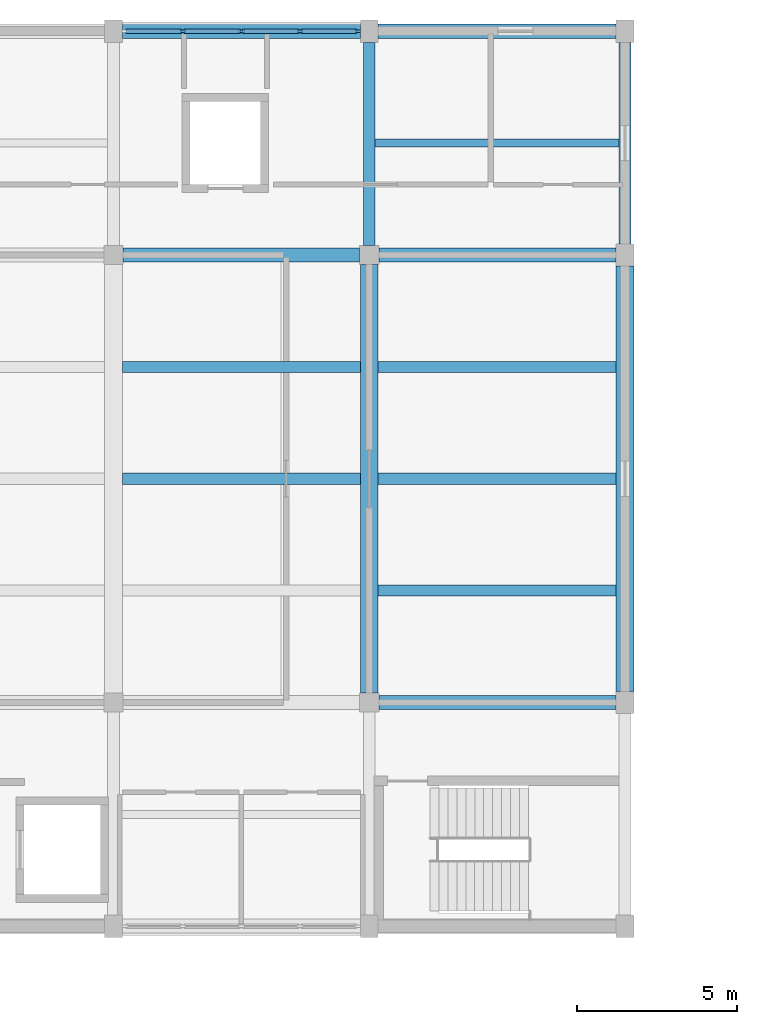
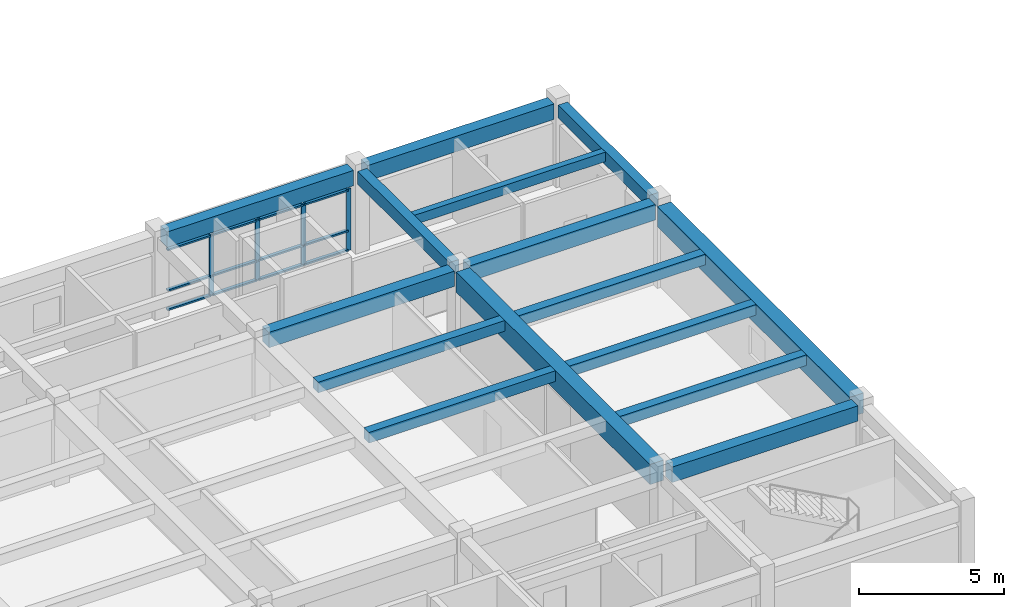
# One storey, part 4 of 10: 16 members, 15 beams, 1 element without a shape of its own.
"""IFC4 building model written with IfcOpenShell, lengths in metres."""

from ifc_helpers import new_model, si_unit, direction, frame, origin, origin_2d, place, context, subcontext, project, spatial, rectangle, extrude, material, layer, layer_set, material_profile, profile_set, type_object, element, aggregate, save


model = new_model("IFC4")

# Units and contexts
model_context = context("Model", 3, precision=1e-05, world=origin(), true_north=direction((0.0, 1.0)))
body_context = subcontext(model_context, "Body", "Model", "MODEL_VIEW")
ifc_project = project(units=[si_unit("LENGTHUNIT", "METRE"), si_unit("AREAUNIT", "SQUARE_METRE"), si_unit("VOLUMEUNIT", "CUBIC_METRE"), si_unit("PLANEANGLEUNIT", "RADIAN"), si_unit("MASSUNIT", "GRAM", prefix="KILO")], contexts=[model_context])

# Site, building, storey
site_placement = place(None, origin())
site = spatial("IfcSite", under=ifc_project, at=site_placement, CompositionType="ELEMENT")
building_placement = place(site_placement, origin())
building = spatial("IfcBuilding", under=site, at=building_placement, Name="Naurynzar Civic Courthouse", CompositionType="ELEMENT")
storey_placement = place(building_placement, frame((0.0, 0.0, 33.300048828125)))
storey = spatial("IfcBuildingStorey", under=building, at=storey_placement, Name="L09", CompositionType="ELEMENT", Elevation=33.300048828125)

# Beams
ifc_material_1 = material(Name="Concrete C40/50", Category="concrete")
ifc_material_profile_1 = material_profile(ifc_material_1, rectangle(XDim=0.25, YDim=0.39990234375, at=origin_2d()), Name="RCB 250x400")
ifc_profile_set_1 = profile_set([ifc_material_profile_1], Name="Concrete C40/50")
beam_type_1 = type_object("IfcBeamType", Name="BM-JST-250x400", PredefinedType="JOIST", material=ifc_profile_set_1)
beam_1_placement = place(storey_placement, frame((101.1875, 68.5, 3.27001953125), z_axis=(1.0, 0.0, 0.0), x_axis=(0.0, 1.0, 0.0)))
element("IfcBeam", 1, at=beam_1_placement, inside=storey, type_object=beam_type_1, Name="V2 secondary rib 1127 L09", PredefinedType="JOIST", context=body_context, shape_type="SweptSolid", body=[
    extrude(rectangle(XDim=0.25, YDim=0.39990234375, at=origin_2d()), origin(), (0.0, 0.0, 1.0), 7.625),
])
ifc_material_2 = material(Name="Concrete C40/50", Category="concrete")
ifc_material_profile_2 = material_profile(ifc_material_2, rectangle(XDim=0.550048828125, YDim=0.85009765625, at=origin_2d()), Name="PTB 550x850")
ifc_profile_set_2 = profile_set([ifc_material_profile_2], Name="Concrete C40/50")
beam_type_2 = type_object("IfcBeamType", Name="BM-PT-550x850", PredefinedType="T_BEAM", material=ifc_profile_set_2)
beam_2_placement = place(storey_placement, frame((101.0, 51.300048828125, 3.044921875), z_axis=(0.0, 1.0, 0.0), x_axis=(-1.0, 0.0, 0.0)))
element("IfcBeam", 2, at=beam_2_placement, inside=storey, type_object=beam_type_2, Name="V2 girder Y-1103 L09", PredefinedType="T_BEAM", context=body_context, shape_type="SweptSolid", body=[
    extrude(rectangle(XDim=0.550048828125, YDim=0.85009765625, at=origin_2d()), origin(), (0.0, 0.0, 1.0), 13.39990234375),
])
beam_3_placement = place(storey_placement, frame((109.0, 51.35009765625, 3.044921875), z_axis=(0.0, 1.0, 0.0), x_axis=(-1.0, 0.0, 0.0)))
element("IfcBeam", 3, at=beam_3_placement, inside=storey, type_object=beam_type_2, Name="V2 girder Y-1106 L09", PredefinedType="T_BEAM", context=body_context, shape_type="SweptSolid", body=[
    extrude(rectangle(XDim=0.550048828125, YDim=0.85009765625, at=origin_2d()), origin(), (0.0, 0.0, 1.0), 13.2998046875),
])
ifc_material_3 = material(Name="Concrete C40/50", Category="concrete")
ifc_material_profile_3 = material_profile(ifc_material_3, rectangle(XDim=0.35009765625, YDim=0.449951171875, at=origin_2d()), Name="RCB 350x450")
ifc_profile_set_3 = profile_set([ifc_material_profile_3], Name="Concrete C40/50")
beam_type_3 = type_object("IfcBeamType", Name="BM-RC-350x450", PredefinedType="BEAM", material=ifc_profile_set_3)
for number, where, z_axis, x_axis, name in (
    (4, (93.27490234375, 58.0, 3.244873046875), (1.0, 0.0, 0.0), (0.0, 1.0, 0.0), "V2 secondary rib 1119 L09"),
    (5, (93.27490234375, 61.5, 3.244873046875), (1.0, 0.0, 0.0), (0.0, 1.0, 0.0), "V2 secondary rib 1120 L09"),
    (6, (101.27490234375, 54.5, 3.244873046875), (1.0, 0.0, 0.0), (0.0, 1.0, 0.0), "V2 secondary rib 1121 L09"),
    (7, (101.27490234375, 58.0, 3.244873046875), (1.0, 0.0, 0.0), (0.0, 1.0, 0.0), "V2 secondary rib 1122 L09"),
    (8, (101.27490234375, 61.5, 3.244873046875), (1.0, 0.0, 0.0), (0.0, 1.0, 0.0), "V2 secondary rib 1123 L09"),
):
    element("IfcBeam", number, at=place(storey_placement, frame(where, z_axis=z_axis, x_axis=x_axis)), inside=storey, type_object=beam_type_3, Name=name, PredefinedType="BEAM", context=body_context, shape_type="SweptSolid", body=[
        extrude(rectangle(XDim=0.35009765625, YDim=0.449951171875, at=origin_2d()), origin(), (0.0, 0.0, 1.0), 7.4501953125),
    ])
ifc_material_4 = material(Name="Concrete C40/50", Category="concrete")
ifc_material_profile_4 = material_profile(ifc_material_4, rectangle(XDim=0.375, YDim=0.550048828125, at=origin_2d()), Name="RCB 375x550")
ifc_profile_set_4 = profile_set([ifc_material_profile_4], Name="Concrete C40/50")
beam_type_4 = type_object("IfcBeamType", Name="BM-RC-375x550", PredefinedType="BEAM", material=ifc_profile_set_4)
beam_4_placement = place(storey_placement, frame((101.0, 65.300048828125, 3.195068359375), z_axis=(0.0, 1.0, 0.0), x_axis=(-1.0, 0.0, 0.0)))
element("IfcBeam", 9, at=beam_4_placement, inside=storey, type_object=beam_type_4, Name="V2 girder Y-1104 L09", PredefinedType="BEAM", context=body_context, shape_type="SweptSolid", body=[
    extrude(rectangle(XDim=0.375, YDim=0.550048828125, at=origin_2d()), origin(), (0.0, 0.0, 1.0), 6.349853515625),
])
beam_5_placement = place(storey_placement, frame((109.0, 65.35009765625, 3.195068359375), z_axis=(0.0, 1.0, 0.0), x_axis=(-1.0, 0.0, 0.0)))
element("IfcBeam", 10, at=beam_5_placement, inside=storey, type_object=beam_type_4, Name="V2 girder Y-1107 L09", PredefinedType="BEAM", context=body_context, shape_type="SweptSolid", body=[
    extrude(rectangle(XDim=0.375, YDim=0.550048828125, at=origin_2d()), origin(), (0.0, 0.0, 1.0), 6.2998046875),
])
ifc_material_5 = material(Name="Concrete C40/50", Category="concrete")
ifc_material_profile_5 = material_profile(ifc_material_5, rectangle(XDim=0.449951171875, YDim=0.64990234375, at=origin_2d()), Name="RCB 450x650")
ifc_profile_set_5 = profile_set([ifc_material_profile_5], Name="Concrete C40/50")
beam_type_5 = type_object("IfcBeamType", Name="BM-RC-450x650", PredefinedType="BEAM", material=ifc_profile_set_5)
beam_6_placement = place(storey_placement, frame((101.300048828125, 51.0, 3.14501953125), z_axis=(1.0, 0.0, 0.0), x_axis=(0.0, 1.0, 0.0)))
element("IfcBeam", 11, at=beam_6_placement, inside=storey, type_object=beam_type_5, Name="V2 beam X-1079 L09", PredefinedType="BEAM", context=body_context, shape_type="SweptSolid", body=[
    extrude(rectangle(XDim=0.449951171875, YDim=0.64990234375, at=origin_2d()), origin(), (0.0, 0.0, 1.0), 7.425048828125),
])
beam_7_placement = place(storey_placement, frame((93.300048828125, 65.0, 3.14501953125), z_axis=(1.0, 0.0, 0.0), x_axis=(0.0, 1.0, 0.0)))
element("IfcBeam", 12, at=beam_7_placement, inside=storey, type_object=beam_type_5, Name="V2 beam X-1083 L09", PredefinedType="BEAM", context=body_context, shape_type="SweptSolid", body=[
    extrude(rectangle(XDim=0.449951171875, YDim=0.64990234375, at=origin_2d()), origin(), (0.0, 0.0, 1.0), 7.39990234375),
])
beam_8_placement = place(storey_placement, frame((101.300048828125, 65.0, 3.14501953125), z_axis=(1.0, 0.0, 0.0), x_axis=(0.0, 1.0, 0.0)))
element("IfcBeam", 13, at=beam_8_placement, inside=storey, type_object=beam_type_5, Name="V2 beam X-1084 L09", PredefinedType="BEAM", context=body_context, shape_type="SweptSolid", body=[
    extrude(rectangle(XDim=0.449951171875, YDim=0.64990234375, at=origin_2d()), origin(), (0.0, 0.0, 1.0), 7.425048828125),
])
for number, where, z_axis, x_axis, name in (
    (14, (93.27490234375, 72.0, 3.14501953125), (1.0, 0.0, 0.0), (0.0, 1.0, 0.0), "V2 beam X-1088 L09"),
    (15, (101.27490234375, 72.0, 3.14501953125), (1.0, 0.0, 0.0), (0.0, 1.0, 0.0), "V2 beam X-1089 L09"),
):
    element("IfcBeam", number, at=place(storey_placement, frame(where, z_axis=z_axis, x_axis=x_axis)), inside=storey, type_object=beam_type_5, Name=name, PredefinedType="BEAM", context=body_context, shape_type="SweptSolid", body=[
        extrude(rectangle(XDim=0.449951171875, YDim=0.64990234375, at=origin_2d()), origin(), (0.0, 0.0, 1.0), 7.4501953125),
    ])

# Curtain wall, members
ifc_material_6 = material(Name="Aluminium 6063-T6", Category="aluminium")
ifc_layer = layer(ifc_material_6, 0.159912109375)
ifc_layer_set = layer_set([ifc_layer], Name="CW-UNIT-1800")
curtain_wall_type = type_object("IfcCurtainWallType", Name="CW-UNIT-1800", PredefinedType="NOTDEFINED", material=ifc_layer_set)
curtain_wall_placement = place(storey_placement, origin())
curtain_wall = element("IfcCurtainWall", 16, at=curtain_wall_placement, inside=storey, type_object=curtain_wall_type, Name="V2 unitised curtain wall 58 L09", PredefinedType="NOTDEFINED")
ifc_material_7 = material(Name="Aluminium 6063-T6", Category="aluminium")
ifc_material_profile_6 = material_profile(ifc_material_7, rectangle(XDim=0.070068359375, YDim=0.179931640625, at=origin_2d()), Name="ALU MULLION 70x180")
ifc_profile_set_6 = profile_set([ifc_material_profile_6], Name="Aluminium 6063-T6")
member_type_1 = type_object("IfcMemberType", Name="CWM-70x180", PredefinedType="MULLION", material=ifc_profile_set_6)
member_1_placement = place(storey_placement, frame((95.16259765625, 72.0, 0.0), z_axis=(0.0, 0.0, 1.0), x_axis=(0.0, 1.0, 0.0)))
member_1 = element("IfcMember", 17, at=member_1_placement, type_object=member_type_1, Name="CW-02 mullion 2", PredefinedType="MULLION", context=body_context, shape_type="SweptSolid", body=[
    extrude(rectangle(XDim=0.070068359375, YDim=0.179931640625, at=origin_2d()), origin(), (0.0, 0.0, 1.0), 2.599853515625),
])
member_2_placement = place(storey_placement, frame((97.0, 72.0, 0.0), z_axis=(0.0, 0.0, 1.0), x_axis=(0.0, 1.0, 0.0)))
member_2 = element("IfcMember", 18, at=member_2_placement, type_object=member_type_1, Name="CW-02 mullion 3", PredefinedType="MULLION", context=body_context, shape_type="SweptSolid", body=[
    extrude(rectangle(XDim=0.070068359375, YDim=0.179931640625, at=origin_2d()), origin(), (0.0, 0.0, 1.0), 2.599853515625),
])
member_3_placement = place(storey_placement, frame((98.83740234375, 72.0, 0.0), z_axis=(0.0, 0.0, 1.0), x_axis=(0.0, 1.0, 0.0)))
member_3 = element("IfcMember", 19, at=member_3_placement, type_object=member_type_1, Name="CW-02 mullion 4", PredefinedType="MULLION", context=body_context, shape_type="SweptSolid", body=[
    extrude(rectangle(XDim=0.070068359375, YDim=0.179931640625, at=origin_2d()), origin(), (0.0, 0.0, 1.0), 2.599853515625),
])
member_4_placement = place(storey_placement, frame((100.639892578125, 72.0, 0.0), z_axis=(0.0, 0.0, 1.0), x_axis=(0.0, 1.0, 0.0)))
member_4 = element("IfcMember", 20, at=member_4_placement, type_object=member_type_1, Name="CW-02 mullion 5", PredefinedType="MULLION", context=body_context, shape_type="SweptSolid", body=[
    extrude(rectangle(XDim=0.070068359375, YDim=0.179931640625, at=origin_2d()), origin(), (0.0, 0.0, 1.0), 2.599853515625),
])
ifc_material_8 = material(Name="Aluminium 6063-T6", Category="aluminium")
ifc_material_profile_7 = material_profile(ifc_material_8, rectangle(XDim=0.1298828125, YDim=0.070068359375, at=origin_2d()), Name="ALU TRANSOM 70x130")
ifc_profile_set_7 = profile_set([ifc_material_profile_7], Name="Aluminium 6063-T6")
member_type_2 = type_object("IfcMemberType", Name="CWT-70x130", PredefinedType="USERDEFINED", material=ifc_profile_set_7)
member_5_placement = place(storey_placement, frame((93.39501953125, 72.0, 0.034912109375), z_axis=(1.0, 0.0, 0.0), x_axis=(0.0, 1.0, 0.0)))
member_5 = element("IfcMember", 21, at=member_5_placement, type_object=member_type_2, Name="CW-02 transom 1.1", ObjectType="TRANSOM", PredefinedType="USERDEFINED", context=body_context, shape_type="SweptSolid", body=[
    extrude(rectangle(XDim=0.1298828125, YDim=0.070068359375, at=origin_2d()), origin(), (0.0, 0.0, 1.0), 1.732421875),
])
member_6_placement = place(storey_placement, frame((93.39501953125, 72.0, 0.849853515625), z_axis=(1.0, 0.0, 0.0), x_axis=(0.0, 1.0, 0.0)))
member_6 = element("IfcMember", 22, at=member_6_placement, type_object=member_type_2, Name="CW-02 transom 1.2", ObjectType="TRANSOM", PredefinedType="USERDEFINED", context=body_context, shape_type="SweptSolid", body=[
    extrude(rectangle(XDim=0.1298828125, YDim=0.070068359375, at=origin_2d()), origin(), (0.0, 0.0, 1.0), 1.732421875),
])
member_7_placement = place(storey_placement, frame((93.39501953125, 72.0, 2.56494140625), z_axis=(1.0, 0.0, 0.0), x_axis=(0.0, 1.0, 0.0)))
member_7 = element("IfcMember", 23, at=member_7_placement, type_object=member_type_2, Name="CW-02 transom 1.3", ObjectType="TRANSOM", PredefinedType="USERDEFINED", context=body_context, shape_type="SweptSolid", body=[
    extrude(rectangle(XDim=0.1298828125, YDim=0.070068359375, at=origin_2d()), origin(), (0.0, 0.0, 1.0), 1.732421875),
])
member_8_placement = place(storey_placement, frame((95.197509765625, 72.0, 0.034912109375), z_axis=(1.0, 0.0, 0.0), x_axis=(0.0, 1.0, 0.0)))
member_8 = element("IfcMember", 24, at=member_8_placement, type_object=member_type_2, Name="CW-02 transom 2.1", ObjectType="TRANSOM", PredefinedType="USERDEFINED", context=body_context, shape_type="SweptSolid", body=[
    extrude(rectangle(XDim=0.1298828125, YDim=0.070068359375, at=origin_2d()), origin(), (0.0, 0.0, 1.0), 1.767578125),
])
member_9_placement = place(storey_placement, frame((95.197509765625, 72.0, 0.849853515625), z_axis=(1.0, 0.0, 0.0), x_axis=(0.0, 1.0, 0.0)))
member_9 = element("IfcMember", 25, at=member_9_placement, type_object=member_type_2, Name="CW-02 transom 2.2", ObjectType="TRANSOM", PredefinedType="USERDEFINED", context=body_context, shape_type="SweptSolid", body=[
    extrude(rectangle(XDim=0.1298828125, YDim=0.070068359375, at=origin_2d()), origin(), (0.0, 0.0, 1.0), 1.767578125),
])
member_10_placement = place(storey_placement, frame((95.197509765625, 72.0, 2.56494140625), z_axis=(1.0, 0.0, 0.0), x_axis=(0.0, 1.0, 0.0)))
member_10 = element("IfcMember", 26, at=member_10_placement, type_object=member_type_2, Name="CW-02 transom 2.3", ObjectType="TRANSOM", PredefinedType="USERDEFINED", context=body_context, shape_type="SweptSolid", body=[
    extrude(rectangle(XDim=0.1298828125, YDim=0.070068359375, at=origin_2d()), origin(), (0.0, 0.0, 1.0), 1.767578125),
])
member_11_placement = place(storey_placement, frame((97.034912109375, 72.0, 0.034912109375), z_axis=(1.0, 0.0, 0.0), x_axis=(0.0, 1.0, 0.0)))
member_11 = element("IfcMember", 27, at=member_11_placement, type_object=member_type_2, Name="CW-02 transom 3.1", ObjectType="TRANSOM", PredefinedType="USERDEFINED", context=body_context, shape_type="SweptSolid", body=[
    extrude(rectangle(XDim=0.1298828125, YDim=0.070068359375, at=origin_2d()), origin(), (0.0, 0.0, 1.0), 1.767578125),
])
member_12_placement = place(storey_placement, frame((97.034912109375, 72.0, 0.849853515625), z_axis=(1.0, 0.0, 0.0), x_axis=(0.0, 1.0, 0.0)))
member_12 = element("IfcMember", 28, at=member_12_placement, type_object=member_type_2, Name="CW-02 transom 3.2", ObjectType="TRANSOM", PredefinedType="USERDEFINED", context=body_context, shape_type="SweptSolid", body=[
    extrude(rectangle(XDim=0.1298828125, YDim=0.070068359375, at=origin_2d()), origin(), (0.0, 0.0, 1.0), 1.767578125),
])
member_13_placement = place(storey_placement, frame((97.034912109375, 72.0, 2.56494140625), z_axis=(1.0, 0.0, 0.0), x_axis=(0.0, 1.0, 0.0)))
member_13 = element("IfcMember", 29, at=member_13_placement, type_object=member_type_2, Name="CW-02 transom 3.3", ObjectType="TRANSOM", PredefinedType="USERDEFINED", context=body_context, shape_type="SweptSolid", body=[
    extrude(rectangle(XDim=0.1298828125, YDim=0.070068359375, at=origin_2d()), origin(), (0.0, 0.0, 1.0), 1.767578125),
])
member_14_placement = place(storey_placement, frame((98.87255859375, 72.0, 0.034912109375), z_axis=(1.0, 0.0, 0.0), x_axis=(0.0, 1.0, 0.0)))
member_14 = element("IfcMember", 30, at=member_14_placement, type_object=member_type_2, Name="CW-02 transom 4.1", ObjectType="TRANSOM", PredefinedType="USERDEFINED", context=body_context, shape_type="SweptSolid", body=[
    extrude(rectangle(XDim=0.1298828125, YDim=0.070068359375, at=origin_2d()), origin(), (0.0, 0.0, 1.0), 1.732421875),
])
member_15_placement = place(storey_placement, frame((98.87255859375, 72.0, 0.849853515625), z_axis=(1.0, 0.0, 0.0), x_axis=(0.0, 1.0, 0.0)))
member_15 = element("IfcMember", 31, at=member_15_placement, type_object=member_type_2, Name="CW-02 transom 4.2", ObjectType="TRANSOM", PredefinedType="USERDEFINED", context=body_context, shape_type="SweptSolid", body=[
    extrude(rectangle(XDim=0.1298828125, YDim=0.070068359375, at=origin_2d()), origin(), (0.0, 0.0, 1.0), 1.732421875),
])
member_16_placement = place(storey_placement, frame((98.87255859375, 72.0, 2.56494140625), z_axis=(1.0, 0.0, 0.0), x_axis=(0.0, 1.0, 0.0)))
member_16 = element("IfcMember", 32, at=member_16_placement, type_object=member_type_2, Name="CW-02 transom 4.3", ObjectType="TRANSOM", PredefinedType="USERDEFINED", context=body_context, shape_type="SweptSolid", body=[
    extrude(rectangle(XDim=0.1298828125, YDim=0.070068359375, at=origin_2d()), origin(), (0.0, 0.0, 1.0), 1.732421875),
])
aggregate(curtain_wall, [member_1, member_2, member_3, member_4, member_5, member_6, member_7, member_8, member_9, member_10, member_11, member_12, member_13, member_14, member_15, member_16])

save(model, "model.ifc")
